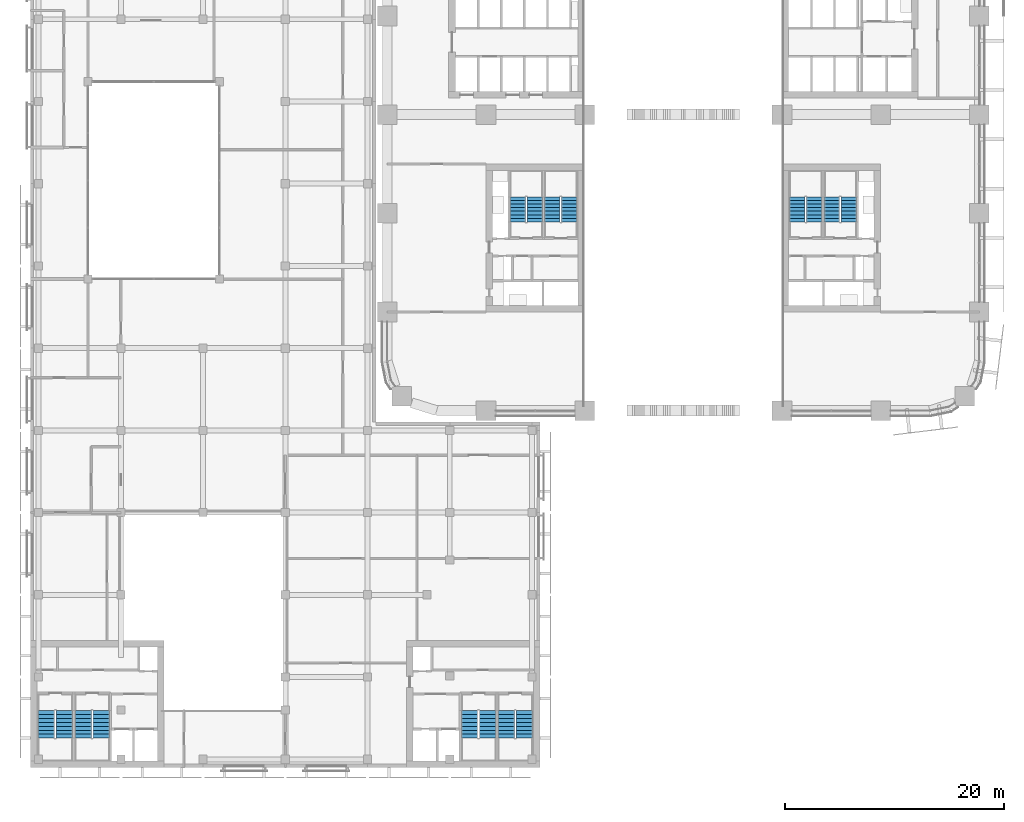
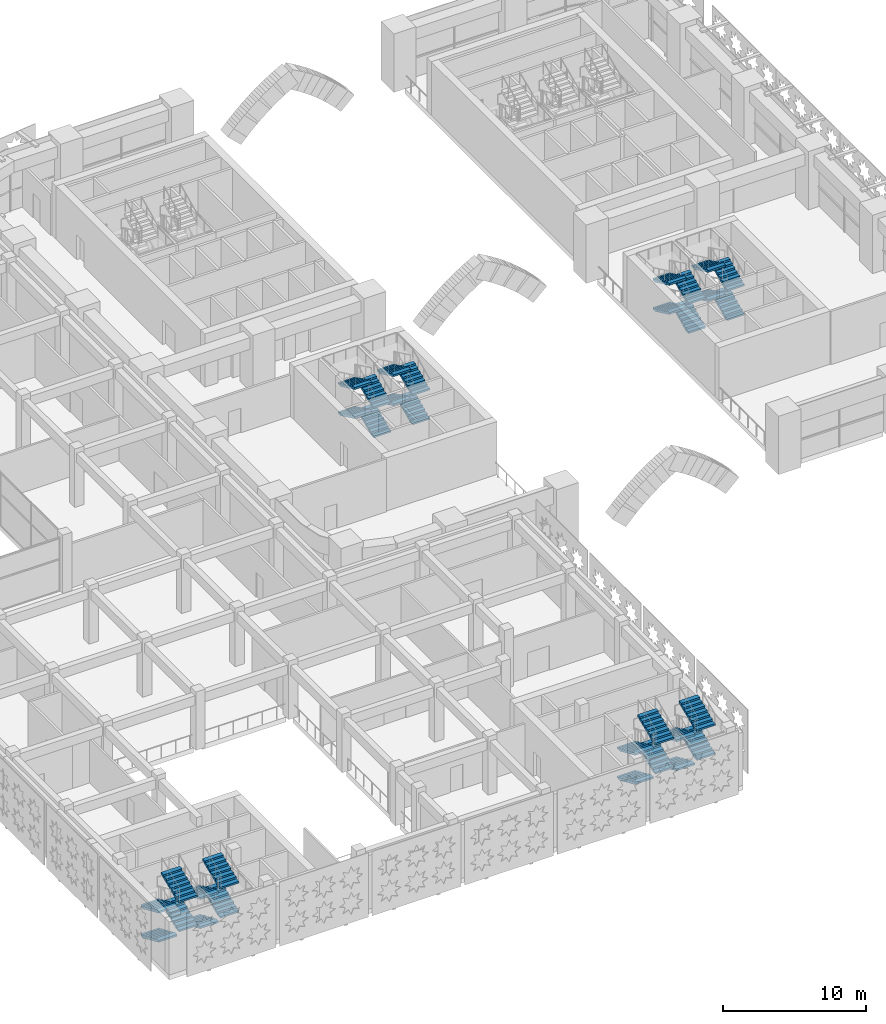
# One storey, part 23 of 40: 32 stair flights, 8 elements without a shape of their own.
"""IFC4 building model written with IfcOpenShell, lengths in metres."""

from ifc_helpers import new_model, si_unit, direction, frame, origin, place, context, subcontext, project, spatial, polyline, outline, extrude, material, type_object, element, aggregate, save


model = new_model("IFC4")

# Units and contexts
model_context = context("Model", 3, precision=1e-05, world=origin(), true_north=direction((0.0, 1.0)))
body_context = subcontext(model_context, "Body", "Model", "MODEL_VIEW")
ifc_project = project(units=[si_unit("LENGTHUNIT", "METRE"), si_unit("AREAUNIT", "SQUARE_METRE"), si_unit("VOLUMEUNIT", "CUBIC_METRE"), si_unit("PLANEANGLEUNIT", "RADIAN"), si_unit("MASSUNIT", "GRAM", prefix="KILO")], contexts=[model_context])

# Site, building, storey
site_placement = place(None, origin())
site = spatial("IfcSite", under=ifc_project, at=site_placement, CompositionType="ELEMENT")
building_placement = place(site_placement, origin())
building = spatial("IfcBuilding", under=site, at=building_placement, Name="Tessera Arch", CompositionType="ELEMENT")
storey_placement = place(building_placement, frame((0.0, 0.0, 21.0)))
storey = spatial("IfcBuildingStorey", under=building, at=storey_placement, Name="L03", CompositionType="ELEMENT", Elevation=21.0)

# Stair, stair flights
ifc_material_1 = material(Name="Concrete C40/50", Category="concrete")
stair_type_1 = type_object("IfcStairType", Name="Dogleg stair 1400", PredefinedType="HALF_TURN_STAIR", material=ifc_material_1)
stair_1_placement = place(storey_placement, origin())
stair_1 = element("IfcStair", 1, at=stair_1_placement, inside=storey, type_object=stair_type_1, Name="L03 S3a", PredefinedType="HALF_TURN_STAIR")
ifc_material_2 = material(Name="Concrete C40/50", Category="concrete")
stair_flight_type_1 = type_object("IfcStairFlightType", Name="Stair flight 1400", PredefinedType="STRAIGHT", material=ifc_material_2)
stair_flight_1_placement = place(storey_placement, frame((38.949951171875, 17.199951171875, 0.0), z_axis=(0.0, 0.0, 1.0), x_axis=(0.0, 1.0, 0.0)))
stair_flight_1 = element("IfcStairFlight", 2, at=stair_flight_1_placement, type_object=stair_flight_type_1, Name="S3a flight 1", NumberOfRisers=8, NumberOfTreads=7, PredefinedType="STRAIGHT", RiserHeight=0.15625, TreadLength=0.33, context=body_context, shape_type="SweptSolid", body=[
    extrude(outline(polyline([(0.0, 0.0), (0.0, 0.15625), (0.330078125, 0.15625), (0.330078125, 0.3125), (0.659912109375, 0.3125), (0.659912109375, 0.46875), (0.989990234375, 0.46875), (0.989990234375, 0.625), (1.320068359375, 0.625), (1.320068359375, 0.78125), (1.64990234375, 0.78125), (1.64990234375, 0.9375), (1.97998046875, 0.9375), (1.97998046875, 1.09375), (2.31005859375, 1.09375), (2.31005859375, 1.25), (2.31005859375, 0.927978515625), (0.350341796875, 0.0), (0.0, 0.0)])), frame((0.0, 0.699951171875, 0.0), z_axis=(0.0, -1.0, 0.0), x_axis=(1.0, 0.0, 0.0)), (0.0, 0.0, 1.0), 1.39990234375),
])
stair_flight_2_placement = place(storey_placement, frame((37.39990234375, 19.510009765625, 1.25), z_axis=(0.0, 0.0, 1.0), x_axis=(0.0, -1.0, 0.0)))
stair_flight_2 = element("IfcStairFlight", 3, at=stair_flight_2_placement, type_object=stair_flight_type_1, Name="S3a flight 2", NumberOfRisers=8, NumberOfTreads=7, PredefinedType="STRAIGHT", RiserHeight=0.15625, TreadLength=0.33, context=body_context, shape_type="SweptSolid", body=[
    extrude(outline(polyline([(0.0, 0.0), (0.0, 0.15625), (0.330078125, 0.15625), (0.330078125, 0.3125), (0.659912109375, 0.3125), (0.659912109375, 0.46875), (0.989990234375, 0.46875), (0.989990234375, 0.625), (1.320068359375, 0.625), (1.320068359375, 0.78125), (1.64990234375, 0.78125), (1.64990234375, 0.9375), (1.97998046875, 0.9375), (1.97998046875, 1.09375), (2.31005859375, 1.09375), (2.31005859375, 1.25), (2.31005859375, 0.927978515625), (0.350341796875, 0.0), (0.0, 0.0)])), frame((0.0, 0.699951171875, 0.0), z_axis=(0.0, -1.0, 0.0), x_axis=(1.0, 0.0, 0.0)), (0.0, 0.0, 1.0), 1.39990234375),
])
stair_flight_3_placement = place(storey_placement, frame((38.949951171875, 17.199951171875, 2.5), z_axis=(0.0, 0.0, 1.0), x_axis=(0.0, 1.0, 0.0)))
stair_flight_3 = element("IfcStairFlight", 4, at=stair_flight_3_placement, type_object=stair_flight_type_1, Name="S3a flight 3", NumberOfRisers=8, NumberOfTreads=7, PredefinedType="STRAIGHT", RiserHeight=0.15625, TreadLength=0.33, context=body_context, shape_type="SweptSolid", body=[
    extrude(outline(polyline([(0.0, 0.0), (0.0, 0.15625), (0.330078125, 0.15625), (0.330078125, 0.3125), (0.659912109375, 0.3125), (0.659912109375, 0.46875), (0.989990234375, 0.46875), (0.989990234375, 0.625), (1.320068359375, 0.625), (1.320068359375, 0.78125), (1.64990234375, 0.78125), (1.64990234375, 0.9375), (1.97998046875, 0.9375), (1.97998046875, 1.09375), (2.31005859375, 1.09375), (2.31005859375, 1.25), (2.31005859375, 0.927978515625), (0.350341796875, 0.0), (0.0, 0.0)])), frame((0.0, 0.699951171875, 0.0), z_axis=(0.0, -1.0, 0.0), x_axis=(1.0, 0.0, 0.0)), (0.0, 0.0, 1.0), 1.39990234375),
])
stair_flight_4_placement = place(storey_placement, frame((37.39990234375, 19.510009765625, 3.75), z_axis=(0.0, 0.0, 1.0), x_axis=(0.0, -1.0, 0.0)))
stair_flight_4 = element("IfcStairFlight", 5, at=stair_flight_4_placement, type_object=stair_flight_type_1, Name="S3a flight 4", NumberOfRisers=8, NumberOfTreads=7, PredefinedType="STRAIGHT", RiserHeight=0.15625, TreadLength=0.33, context=body_context, shape_type="SweptSolid", body=[
    extrude(outline(polyline([(0.0, 0.0), (0.0, 0.15625), (0.330078125, 0.15625), (0.330078125, 0.3125), (0.659912109375, 0.3125), (0.659912109375, 0.46875), (0.989990234375, 0.46875), (0.989990234375, 0.625), (1.320068359375, 0.625), (1.320068359375, 0.78125), (1.64990234375, 0.78125), (1.64990234375, 0.9375), (1.97998046875, 0.9375), (1.97998046875, 1.09375), (2.31005859375, 1.09375), (2.31005859375, 1.25), (2.31005859375, 0.927978515625), (0.350341796875, 0.0), (0.0, 0.0)])), frame((0.0, 0.699951171875, 0.0), z_axis=(0.0, -1.0, 0.0), x_axis=(1.0, 0.0, 0.0)), (0.0, 0.0, 1.0), 1.39990234375),
])
aggregate(stair_1, [stair_flight_1, stair_flight_2, stair_flight_3, stair_flight_4])

stair_2_placement = place(storey_placement, origin())
stair_2 = element("IfcStair", 6, at=stair_2_placement, inside=storey, type_object=stair_type_1, Name="L03 S3b", PredefinedType="HALF_TURN_STAIR")
stair_flight_5_placement = place(storey_placement, frame((42.10009765625, 17.199951171875, 0.0), z_axis=(0.0, 0.0, 1.0), x_axis=(0.0, 1.0, 0.0)))
stair_flight_5 = element("IfcStairFlight", 7, at=stair_flight_5_placement, type_object=stair_flight_type_1, Name="S3b flight 1", NumberOfRisers=8, NumberOfTreads=7, PredefinedType="STRAIGHT", RiserHeight=0.15625, TreadLength=0.33, context=body_context, shape_type="SweptSolid", body=[
    extrude(outline(polyline([(0.0, 0.0), (0.0, 0.15625), (0.330078125, 0.15625), (0.330078125, 0.3125), (0.659912109375, 0.3125), (0.659912109375, 0.46875), (0.989990234375, 0.46875), (0.989990234375, 0.625), (1.320068359375, 0.625), (1.320068359375, 0.78125), (1.64990234375, 0.78125), (1.64990234375, 0.9375), (1.97998046875, 0.9375), (1.97998046875, 1.09375), (2.31005859375, 1.09375), (2.31005859375, 1.25), (2.31005859375, 0.927978515625), (0.350341796875, 0.0), (0.0, 0.0)])), frame((0.0, 0.699951171875, 0.0), z_axis=(0.0, -1.0, 0.0), x_axis=(1.0, 0.0, 0.0)), (0.0, 0.0, 1.0), 1.39990234375),
])
stair_flight_6_placement = place(storey_placement, frame((40.550048828125, 19.510009765625, 1.25), z_axis=(0.0, 0.0, 1.0), x_axis=(0.0, -1.0, 0.0)))
stair_flight_6 = element("IfcStairFlight", 8, at=stair_flight_6_placement, type_object=stair_flight_type_1, Name="S3b flight 2", NumberOfRisers=8, NumberOfTreads=7, PredefinedType="STRAIGHT", RiserHeight=0.15625, TreadLength=0.33, context=body_context, shape_type="SweptSolid", body=[
    extrude(outline(polyline([(0.0, 0.0), (0.0, 0.15625), (0.330078125, 0.15625), (0.330078125, 0.3125), (0.659912109375, 0.3125), (0.659912109375, 0.46875), (0.989990234375, 0.46875), (0.989990234375, 0.625), (1.320068359375, 0.625), (1.320068359375, 0.78125), (1.64990234375, 0.78125), (1.64990234375, 0.9375), (1.97998046875, 0.9375), (1.97998046875, 1.09375), (2.31005859375, 1.09375), (2.31005859375, 1.25), (2.31005859375, 0.927978515625), (0.350341796875, 0.0), (0.0, 0.0)])), frame((0.0, 0.699951171875, 0.0), z_axis=(0.0, -1.0, 0.0), x_axis=(1.0, 0.0, 0.0)), (0.0, 0.0, 1.0), 1.39990234375),
])
stair_flight_7_placement = place(storey_placement, frame((42.10009765625, 17.199951171875, 2.5), z_axis=(0.0, 0.0, 1.0), x_axis=(0.0, 1.0, 0.0)))
stair_flight_7 = element("IfcStairFlight", 9, at=stair_flight_7_placement, type_object=stair_flight_type_1, Name="S3b flight 3", NumberOfRisers=8, NumberOfTreads=7, PredefinedType="STRAIGHT", RiserHeight=0.15625, TreadLength=0.33, context=body_context, shape_type="SweptSolid", body=[
    extrude(outline(polyline([(0.0, 0.0), (0.0, 0.15625), (0.330078125, 0.15625), (0.330078125, 0.3125), (0.659912109375, 0.3125), (0.659912109375, 0.46875), (0.989990234375, 0.46875), (0.989990234375, 0.625), (1.320068359375, 0.625), (1.320068359375, 0.78125), (1.64990234375, 0.78125), (1.64990234375, 0.9375), (1.97998046875, 0.9375), (1.97998046875, 1.09375), (2.31005859375, 1.09375), (2.31005859375, 1.25), (2.31005859375, 0.927978515625), (0.350341796875, 0.0), (0.0, 0.0)])), frame((0.0, 0.699951171875, 0.0), z_axis=(0.0, -1.0, 0.0), x_axis=(1.0, 0.0, 0.0)), (0.0, 0.0, 1.0), 1.39990234375),
])
stair_flight_8_placement = place(storey_placement, frame((40.550048828125, 19.510009765625, 3.75), z_axis=(0.0, 0.0, 1.0), x_axis=(0.0, -1.0, 0.0)))
stair_flight_8 = element("IfcStairFlight", 10, at=stair_flight_8_placement, type_object=stair_flight_type_1, Name="S3b flight 4", NumberOfRisers=8, NumberOfTreads=7, PredefinedType="STRAIGHT", RiserHeight=0.15625, TreadLength=0.33, context=body_context, shape_type="SweptSolid", body=[
    extrude(outline(polyline([(0.0, 0.0), (0.0, 0.15625), (0.330078125, 0.15625), (0.330078125, 0.3125), (0.659912109375, 0.3125), (0.659912109375, 0.46875), (0.989990234375, 0.46875), (0.989990234375, 0.625), (1.320068359375, 0.625), (1.320068359375, 0.78125), (1.64990234375, 0.78125), (1.64990234375, 0.9375), (1.97998046875, 0.9375), (1.97998046875, 1.09375), (2.31005859375, 1.09375), (2.31005859375, 1.25), (2.31005859375, 0.927978515625), (0.350341796875, 0.0), (0.0, 0.0)])), frame((0.0, 0.699951171875, 0.0), z_axis=(0.0, -1.0, 0.0), x_axis=(1.0, 0.0, 0.0)), (0.0, 0.0, 1.0), 1.39990234375),
])
aggregate(stair_2, [stair_flight_5, stair_flight_6, stair_flight_7, stair_flight_8])

stair_3_placement = place(storey_placement, origin())
stair_3 = element("IfcStair", 11, at=stair_3_placement, inside=storey, type_object=stair_type_1, Name="L03 S4a", PredefinedType="HALF_TURN_STAIR")
stair_flight_9_placement = place(storey_placement, frame((16.60009765625, 17.199951171875, 0.0), z_axis=(0.0, 0.0, 1.0), x_axis=(0.0, 1.0, 0.0)))
stair_flight_9 = element("IfcStairFlight", 12, at=stair_flight_9_placement, type_object=stair_flight_type_1, Name="S4a flight 1", NumberOfRisers=8, NumberOfTreads=7, PredefinedType="STRAIGHT", RiserHeight=0.15625, TreadLength=0.33, context=body_context, shape_type="SweptSolid", body=[
    extrude(outline(polyline([(0.0, 0.0), (0.0, 0.15625), (0.330078125, 0.15625), (0.330078125, 0.3125), (0.659912109375, 0.3125), (0.659912109375, 0.46875), (0.989990234375, 0.46875), (0.989990234375, 0.625), (1.320068359375, 0.625), (1.320068359375, 0.78125), (1.64990234375, 0.78125), (1.64990234375, 0.9375), (1.97998046875, 0.9375), (1.97998046875, 1.09375), (2.31005859375, 1.09375), (2.31005859375, 1.25), (2.31005859375, 0.927978515625), (0.350341796875, 0.0), (0.0, 0.0)])), frame((0.0, 0.699951171875, 0.0), z_axis=(0.0, -1.0, 0.0), x_axis=(1.0, 0.0, 0.0)), (0.0, 0.0, 1.0), 1.39990234375),
])
stair_flight_10_placement = place(storey_placement, frame((15.050048828125, 19.510009765625, 1.25), z_axis=(0.0, 0.0, 1.0), x_axis=(0.0, -1.0, 0.0)))
stair_flight_10 = element("IfcStairFlight", 13, at=stair_flight_10_placement, type_object=stair_flight_type_1, Name="S4a flight 2", NumberOfRisers=8, NumberOfTreads=7, PredefinedType="STRAIGHT", RiserHeight=0.15625, TreadLength=0.33, context=body_context, shape_type="SweptSolid", body=[
    extrude(outline(polyline([(0.0, 0.0), (0.0, 0.15625), (0.330078125, 0.15625), (0.330078125, 0.3125), (0.659912109375, 0.3125), (0.659912109375, 0.46875), (0.989990234375, 0.46875), (0.989990234375, 0.625), (1.320068359375, 0.625), (1.320068359375, 0.78125), (1.64990234375, 0.78125), (1.64990234375, 0.9375), (1.97998046875, 0.9375), (1.97998046875, 1.09375), (2.31005859375, 1.09375), (2.31005859375, 1.25), (2.31005859375, 0.927978515625), (0.350341796875, 0.0), (0.0, 0.0)])), frame((0.0, 0.699951171875, 0.0), z_axis=(0.0, -1.0, 0.0), x_axis=(1.0, 0.0, 0.0)), (0.0, 0.0, 1.0), 1.39990234375),
])
stair_flight_11_placement = place(storey_placement, frame((16.60009765625, 17.199951171875, 2.5), z_axis=(0.0, 0.0, 1.0), x_axis=(0.0, 1.0, 0.0)))
stair_flight_11 = element("IfcStairFlight", 14, at=stair_flight_11_placement, type_object=stair_flight_type_1, Name="S4a flight 3", NumberOfRisers=8, NumberOfTreads=7, PredefinedType="STRAIGHT", RiserHeight=0.15625, TreadLength=0.33, context=body_context, shape_type="SweptSolid", body=[
    extrude(outline(polyline([(0.0, 0.0), (0.0, 0.15625), (0.330078125, 0.15625), (0.330078125, 0.3125), (0.659912109375, 0.3125), (0.659912109375, 0.46875), (0.989990234375, 0.46875), (0.989990234375, 0.625), (1.320068359375, 0.625), (1.320068359375, 0.78125), (1.64990234375, 0.78125), (1.64990234375, 0.9375), (1.97998046875, 0.9375), (1.97998046875, 1.09375), (2.31005859375, 1.09375), (2.31005859375, 1.25), (2.31005859375, 0.927978515625), (0.350341796875, 0.0), (0.0, 0.0)])), frame((0.0, 0.699951171875, 0.0), z_axis=(0.0, -1.0, 0.0), x_axis=(1.0, 0.0, 0.0)), (0.0, 0.0, 1.0), 1.39990234375),
])
stair_flight_12_placement = place(storey_placement, frame((15.050048828125, 19.510009765625, 3.75), z_axis=(0.0, 0.0, 1.0), x_axis=(0.0, -1.0, 0.0)))
stair_flight_12 = element("IfcStairFlight", 15, at=stair_flight_12_placement, type_object=stair_flight_type_1, Name="S4a flight 4", NumberOfRisers=8, NumberOfTreads=7, PredefinedType="STRAIGHT", RiserHeight=0.15625, TreadLength=0.33, context=body_context, shape_type="SweptSolid", body=[
    extrude(outline(polyline([(0.0, 0.0), (0.0, 0.15625), (0.330078125, 0.15625), (0.330078125, 0.3125), (0.659912109375, 0.3125), (0.659912109375, 0.46875), (0.989990234375, 0.46875), (0.989990234375, 0.625), (1.320068359375, 0.625), (1.320068359375, 0.78125), (1.64990234375, 0.78125), (1.64990234375, 0.9375), (1.97998046875, 0.9375), (1.97998046875, 1.09375), (2.31005859375, 1.09375), (2.31005859375, 1.25), (2.31005859375, 0.927978515625), (0.350341796875, 0.0), (0.0, 0.0)])), frame((0.0, 0.699951171875, 0.0), z_axis=(0.0, -1.0, 0.0), x_axis=(1.0, 0.0, 0.0)), (0.0, 0.0, 1.0), 1.39990234375),
])
aggregate(stair_3, [stair_flight_9, stair_flight_10, stair_flight_11, stair_flight_12])

stair_4_placement = place(storey_placement, origin())
stair_4 = element("IfcStair", 16, at=stair_4_placement, inside=storey, type_object=stair_type_1, Name="L03 S4b", PredefinedType="HALF_TURN_STAIR")
stair_flight_13_placement = place(storey_placement, frame((13.449951171875, 17.199951171875, 0.0), z_axis=(0.0, 0.0, 1.0), x_axis=(0.0, 1.0, 0.0)))
stair_flight_13 = element("IfcStairFlight", 17, at=stair_flight_13_placement, type_object=stair_flight_type_1, Name="S4b flight 1", NumberOfRisers=8, NumberOfTreads=7, PredefinedType="STRAIGHT", RiserHeight=0.15625, TreadLength=0.33, context=body_context, shape_type="SweptSolid", body=[
    extrude(outline(polyline([(0.0, 0.0), (0.0, 0.15625), (0.330078125, 0.15625), (0.330078125, 0.3125), (0.659912109375, 0.3125), (0.659912109375, 0.46875), (0.989990234375, 0.46875), (0.989990234375, 0.625), (1.320068359375, 0.625), (1.320068359375, 0.78125), (1.64990234375, 0.78125), (1.64990234375, 0.9375), (1.97998046875, 0.9375), (1.97998046875, 1.09375), (2.31005859375, 1.09375), (2.31005859375, 1.25), (2.31005859375, 0.927978515625), (0.350341796875, 0.0), (0.0, 0.0)])), frame((0.0, 0.699951171875, 0.0), z_axis=(0.0, -1.0, 0.0), x_axis=(1.0, 0.0, 0.0)), (0.0, 0.0, 1.0), 1.39990234375),
])
stair_flight_14_placement = place(storey_placement, frame((11.89990234375, 19.510009765625, 1.25), z_axis=(0.0, 0.0, 1.0), x_axis=(0.0, -1.0, 0.0)))
stair_flight_14 = element("IfcStairFlight", 18, at=stair_flight_14_placement, type_object=stair_flight_type_1, Name="S4b flight 2", NumberOfRisers=8, NumberOfTreads=7, PredefinedType="STRAIGHT", RiserHeight=0.15625, TreadLength=0.33, context=body_context, shape_type="SweptSolid", body=[
    extrude(outline(polyline([(0.0, 0.0), (0.0, 0.15625), (0.330078125, 0.15625), (0.330078125, 0.3125), (0.659912109375, 0.3125), (0.659912109375, 0.46875), (0.989990234375, 0.46875), (0.989990234375, 0.625), (1.320068359375, 0.625), (1.320068359375, 0.78125), (1.64990234375, 0.78125), (1.64990234375, 0.9375), (1.97998046875, 0.9375), (1.97998046875, 1.09375), (2.31005859375, 1.09375), (2.31005859375, 1.25), (2.31005859375, 0.927978515625), (0.350341796875, 0.0), (0.0, 0.0)])), frame((0.0, 0.699951171875, 0.0), z_axis=(0.0, -1.0, 0.0), x_axis=(1.0, 0.0, 0.0)), (0.0, 0.0, 1.0), 1.39990234375),
])
stair_flight_15_placement = place(storey_placement, frame((13.449951171875, 17.199951171875, 2.5), z_axis=(0.0, 0.0, 1.0), x_axis=(0.0, 1.0, 0.0)))
stair_flight_15 = element("IfcStairFlight", 19, at=stair_flight_15_placement, type_object=stair_flight_type_1, Name="S4b flight 3", NumberOfRisers=8, NumberOfTreads=7, PredefinedType="STRAIGHT", RiserHeight=0.15625, TreadLength=0.33, context=body_context, shape_type="SweptSolid", body=[
    extrude(outline(polyline([(0.0, 0.0), (0.0, 0.15625), (0.330078125, 0.15625), (0.330078125, 0.3125), (0.659912109375, 0.3125), (0.659912109375, 0.46875), (0.989990234375, 0.46875), (0.989990234375, 0.625), (1.320068359375, 0.625), (1.320068359375, 0.78125), (1.64990234375, 0.78125), (1.64990234375, 0.9375), (1.97998046875, 0.9375), (1.97998046875, 1.09375), (2.31005859375, 1.09375), (2.31005859375, 1.25), (2.31005859375, 0.927978515625), (0.350341796875, 0.0), (0.0, 0.0)])), frame((0.0, 0.699951171875, 0.0), z_axis=(0.0, -1.0, 0.0), x_axis=(1.0, 0.0, 0.0)), (0.0, 0.0, 1.0), 1.39990234375),
])
stair_flight_16_placement = place(storey_placement, frame((11.89990234375, 19.510009765625, 3.75), z_axis=(0.0, 0.0, 1.0), x_axis=(0.0, -1.0, 0.0)))
stair_flight_16 = element("IfcStairFlight", 20, at=stair_flight_16_placement, type_object=stair_flight_type_1, Name="S4b flight 4", NumberOfRisers=8, NumberOfTreads=7, PredefinedType="STRAIGHT", RiserHeight=0.15625, TreadLength=0.33, context=body_context, shape_type="SweptSolid", body=[
    extrude(outline(polyline([(0.0, 0.0), (0.0, 0.15625), (0.330078125, 0.15625), (0.330078125, 0.3125), (0.659912109375, 0.3125), (0.659912109375, 0.46875), (0.989990234375, 0.46875), (0.989990234375, 0.625), (1.320068359375, 0.625), (1.320068359375, 0.78125), (1.64990234375, 0.78125), (1.64990234375, 0.9375), (1.97998046875, 0.9375), (1.97998046875, 1.09375), (2.31005859375, 1.09375), (2.31005859375, 1.25), (2.31005859375, 0.927978515625), (0.350341796875, 0.0), (0.0, 0.0)])), frame((0.0, 0.699951171875, 0.0), z_axis=(0.0, -1.0, 0.0), x_axis=(1.0, 0.0, 0.0)), (0.0, 0.0, 1.0), 1.39990234375),
])
aggregate(stair_4, [stair_flight_13, stair_flight_14, stair_flight_15, stair_flight_16])

ifc_material_3 = material(Name="Concrete C40/50", Category="concrete")
stair_type_2 = type_object("IfcStairType", Name="Dogleg stair 1500", PredefinedType="HALF_TURN_STAIR", material=ifc_material_3)
stair_5_placement = place(storey_placement, origin())
stair_5 = element("IfcStair", 21, at=stair_5_placement, inside=storey, type_object=stair_type_2, Name="L03 M2a", PredefinedType="HALF_TURN_STAIR")
ifc_material_4 = material(Name="Concrete C40/50", Category="concrete")
stair_flight_type_2 = type_object("IfcStairFlightType", Name="Stair flight 1500", PredefinedType="STRAIGHT", material=ifc_material_4)
stair_flight_17_placement = place(storey_placement, frame((-31.10009765625, -27.35009765625, 0.0), z_axis=(0.0, 0.0, 1.0), x_axis=(0.0, -1.0, 0.0)))
stair_flight_17 = element("IfcStairFlight", 22, at=stair_flight_17_placement, type_object=stair_flight_type_2, Name="M2a flight 1", NumberOfRisers=8, NumberOfTreads=7, PredefinedType="STRAIGHT", RiserHeight=0.15625, TreadLength=0.36, context=body_context, shape_type="SweptSolid", body=[
    extrude(outline(polyline([(0.0, 0.0), (0.0, 0.15625), (0.360107421875, 0.15625), (0.360107421875, 0.3125), (0.719970703125, 0.3125), (0.719970703125, 0.46875), (1.080078125, 0.46875), (1.080078125, 0.625), (1.43994140625, 0.625), (1.43994140625, 0.78125), (1.800048828125, 0.78125), (1.800048828125, 0.9375), (2.159912109375, 0.9375), (2.159912109375, 1.09375), (2.52001953125, 1.09375), (2.52001953125, 1.25), (2.52001953125, 0.930419921875), (0.37646484375, 0.0), (0.0, 0.0)])), frame((0.0, 0.75, 0.0), z_axis=(0.0, -1.0, 0.0), x_axis=(1.0, 0.0, 0.0)), (0.0, 0.0, 1.0), 1.5),
])
stair_flight_18_placement = place(storey_placement, frame((-29.449951171875, -29.8701171875, 1.25), z_axis=(0.0, 0.0, 1.0), x_axis=(0.0, 1.0, 0.0)))
stair_flight_18 = element("IfcStairFlight", 23, at=stair_flight_18_placement, type_object=stair_flight_type_2, Name="M2a flight 2", NumberOfRisers=8, NumberOfTreads=7, PredefinedType="STRAIGHT", RiserHeight=0.15625, TreadLength=0.36, context=body_context, shape_type="SweptSolid", body=[
    extrude(outline(polyline([(0.0, 0.0), (0.0, 0.15625), (0.360107421875, 0.15625), (0.360107421875, 0.3125), (0.719970703125, 0.3125), (0.719970703125, 0.46875), (1.080078125, 0.46875), (1.080078125, 0.625), (1.43994140625, 0.625), (1.43994140625, 0.78125), (1.800048828125, 0.78125), (1.800048828125, 0.9375), (2.159912109375, 0.9375), (2.159912109375, 1.09375), (2.52001953125, 1.09375), (2.52001953125, 1.25), (2.52001953125, 0.930419921875), (0.37646484375, 0.0), (0.0, 0.0)])), frame((0.0, 0.75, 0.0), z_axis=(0.0, -1.0, 0.0), x_axis=(1.0, 0.0, 0.0)), (0.0, 0.0, 1.0), 1.5),
])
stair_flight_19_placement = place(storey_placement, frame((-31.10009765625, -27.35009765625, 2.5), z_axis=(0.0, 0.0, 1.0), x_axis=(0.0, -1.0, 0.0)))
stair_flight_19 = element("IfcStairFlight", 24, at=stair_flight_19_placement, type_object=stair_flight_type_2, Name="M2a flight 3", NumberOfRisers=8, NumberOfTreads=7, PredefinedType="STRAIGHT", RiserHeight=0.15625, TreadLength=0.36, context=body_context, shape_type="SweptSolid", body=[
    extrude(outline(polyline([(0.0, 0.0), (0.0, 0.15625), (0.360107421875, 0.15625), (0.360107421875, 0.3125), (0.719970703125, 0.3125), (0.719970703125, 0.46875), (1.080078125, 0.46875), (1.080078125, 0.625), (1.43994140625, 0.625), (1.43994140625, 0.78125), (1.800048828125, 0.78125), (1.800048828125, 0.9375), (2.159912109375, 0.9375), (2.159912109375, 1.09375), (2.52001953125, 1.09375), (2.52001953125, 1.25), (2.52001953125, 0.930419921875), (0.37646484375, 0.0), (0.0, 0.0)])), frame((0.0, 0.75, 0.0), z_axis=(0.0, -1.0, 0.0), x_axis=(1.0, 0.0, 0.0)), (0.0, 0.0, 1.0), 1.5),
])
stair_flight_20_placement = place(storey_placement, frame((-29.449951171875, -29.8701171875, 3.75), z_axis=(0.0, 0.0, 1.0), x_axis=(0.0, 1.0, 0.0)))
stair_flight_20 = element("IfcStairFlight", 25, at=stair_flight_20_placement, type_object=stair_flight_type_2, Name="M2a flight 4", NumberOfRisers=8, NumberOfTreads=7, PredefinedType="STRAIGHT", RiserHeight=0.15625, TreadLength=0.36, context=body_context, shape_type="SweptSolid", body=[
    extrude(outline(polyline([(0.0, 0.0), (0.0, 0.15625), (0.360107421875, 0.15625), (0.360107421875, 0.3125), (0.719970703125, 0.3125), (0.719970703125, 0.46875), (1.080078125, 0.46875), (1.080078125, 0.625), (1.43994140625, 0.625), (1.43994140625, 0.78125), (1.800048828125, 0.78125), (1.800048828125, 0.9375), (2.159912109375, 0.9375), (2.159912109375, 1.09375), (2.52001953125, 1.09375), (2.52001953125, 1.25), (2.52001953125, 0.930419921875), (0.37646484375, 0.0), (0.0, 0.0)])), frame((0.0, 0.75, 0.0), z_axis=(0.0, -1.0, 0.0), x_axis=(1.0, 0.0, 0.0)), (0.0, 0.0, 1.0), 1.5),
])
aggregate(stair_5, [stair_flight_17, stair_flight_18, stair_flight_19, stair_flight_20])

stair_6_placement = place(storey_placement, origin())
stair_6 = element("IfcStair", 26, at=stair_6_placement, inside=storey, type_object=stair_type_2, Name="L03 M2b", PredefinedType="HALF_TURN_STAIR")
stair_flight_21_placement = place(storey_placement, frame((-27.75, -27.35009765625, 0.0), z_axis=(0.0, 0.0, 1.0), x_axis=(0.0, -1.0, 0.0)))
stair_flight_21 = element("IfcStairFlight", 27, at=stair_flight_21_placement, type_object=stair_flight_type_2, Name="M2b flight 1", NumberOfRisers=8, NumberOfTreads=7, PredefinedType="STRAIGHT", RiserHeight=0.15625, TreadLength=0.36, context=body_context, shape_type="SweptSolid", body=[
    extrude(outline(polyline([(0.0, 0.0), (0.0, 0.15625), (0.360107421875, 0.15625), (0.360107421875, 0.3125), (0.719970703125, 0.3125), (0.719970703125, 0.46875), (1.080078125, 0.46875), (1.080078125, 0.625), (1.43994140625, 0.625), (1.43994140625, 0.78125), (1.800048828125, 0.78125), (1.800048828125, 0.9375), (2.159912109375, 0.9375), (2.159912109375, 1.09375), (2.52001953125, 1.09375), (2.52001953125, 1.25), (2.52001953125, 0.930419921875), (0.37646484375, 0.0), (0.0, 0.0)])), frame((0.0, 0.75, 0.0), z_axis=(0.0, -1.0, 0.0), x_axis=(1.0, 0.0, 0.0)), (0.0, 0.0, 1.0), 1.5),
])
stair_flight_22_placement = place(storey_placement, frame((-26.10009765625, -29.8701171875, 1.25), z_axis=(0.0, 0.0, 1.0), x_axis=(0.0, 1.0, 0.0)))
stair_flight_22 = element("IfcStairFlight", 28, at=stair_flight_22_placement, type_object=stair_flight_type_2, Name="M2b flight 2", NumberOfRisers=8, NumberOfTreads=7, PredefinedType="STRAIGHT", RiserHeight=0.15625, TreadLength=0.36, context=body_context, shape_type="SweptSolid", body=[
    extrude(outline(polyline([(0.0, 0.0), (0.0, 0.15625), (0.360107421875, 0.15625), (0.360107421875, 0.3125), (0.719970703125, 0.3125), (0.719970703125, 0.46875), (1.080078125, 0.46875), (1.080078125, 0.625), (1.43994140625, 0.625), (1.43994140625, 0.78125), (1.800048828125, 0.78125), (1.800048828125, 0.9375), (2.159912109375, 0.9375), (2.159912109375, 1.09375), (2.52001953125, 1.09375), (2.52001953125, 1.25), (2.52001953125, 0.930419921875), (0.37646484375, 0.0), (0.0, 0.0)])), frame((0.0, 0.75, 0.0), z_axis=(0.0, -1.0, 0.0), x_axis=(1.0, 0.0, 0.0)), (0.0, 0.0, 1.0), 1.5),
])
stair_flight_23_placement = place(storey_placement, frame((-27.75, -27.35009765625, 2.5), z_axis=(0.0, 0.0, 1.0), x_axis=(0.0, -1.0, 0.0)))
stair_flight_23 = element("IfcStairFlight", 29, at=stair_flight_23_placement, type_object=stair_flight_type_2, Name="M2b flight 3", NumberOfRisers=8, NumberOfTreads=7, PredefinedType="STRAIGHT", RiserHeight=0.15625, TreadLength=0.36, context=body_context, shape_type="SweptSolid", body=[
    extrude(outline(polyline([(0.0, 0.0), (0.0, 0.15625), (0.360107421875, 0.15625), (0.360107421875, 0.3125), (0.719970703125, 0.3125), (0.719970703125, 0.46875), (1.080078125, 0.46875), (1.080078125, 0.625), (1.43994140625, 0.625), (1.43994140625, 0.78125), (1.800048828125, 0.78125), (1.800048828125, 0.9375), (2.159912109375, 0.9375), (2.159912109375, 1.09375), (2.52001953125, 1.09375), (2.52001953125, 1.25), (2.52001953125, 0.930419921875), (0.37646484375, 0.0), (0.0, 0.0)])), frame((0.0, 0.75, 0.0), z_axis=(0.0, -1.0, 0.0), x_axis=(1.0, 0.0, 0.0)), (0.0, 0.0, 1.0), 1.5),
])
stair_flight_24_placement = place(storey_placement, frame((-26.10009765625, -29.8701171875, 3.75), z_axis=(0.0, 0.0, 1.0), x_axis=(0.0, 1.0, 0.0)))
stair_flight_24 = element("IfcStairFlight", 30, at=stair_flight_24_placement, type_object=stair_flight_type_2, Name="M2b flight 4", NumberOfRisers=8, NumberOfTreads=7, PredefinedType="STRAIGHT", RiserHeight=0.15625, TreadLength=0.36, context=body_context, shape_type="SweptSolid", body=[
    extrude(outline(polyline([(0.0, 0.0), (0.0, 0.15625), (0.360107421875, 0.15625), (0.360107421875, 0.3125), (0.719970703125, 0.3125), (0.719970703125, 0.46875), (1.080078125, 0.46875), (1.080078125, 0.625), (1.43994140625, 0.625), (1.43994140625, 0.78125), (1.800048828125, 0.78125), (1.800048828125, 0.9375), (2.159912109375, 0.9375), (2.159912109375, 1.09375), (2.52001953125, 1.09375), (2.52001953125, 1.25), (2.52001953125, 0.930419921875), (0.37646484375, 0.0), (0.0, 0.0)])), frame((0.0, 0.75, 0.0), z_axis=(0.0, -1.0, 0.0), x_axis=(1.0, 0.0, 0.0)), (0.0, 0.0, 1.0), 1.5),
])
aggregate(stair_6, [stair_flight_21, stair_flight_22, stair_flight_23, stair_flight_24])

stair_7_placement = place(storey_placement, origin())
stair_7 = element("IfcStair", 31, at=stair_7_placement, inside=storey, type_object=stair_type_2, Name="L03 M3a", PredefinedType="HALF_TURN_STAIR")
stair_flight_25_placement = place(storey_placement, frame((10.85009765625, -27.35009765625, 0.0), z_axis=(0.0, 0.0, 1.0), x_axis=(0.0, -1.0, 0.0)))
stair_flight_25 = element("IfcStairFlight", 32, at=stair_flight_25_placement, type_object=stair_flight_type_2, Name="M3a flight 1", NumberOfRisers=8, NumberOfTreads=7, PredefinedType="STRAIGHT", RiserHeight=0.15625, TreadLength=0.36, context=body_context, shape_type="SweptSolid", body=[
    extrude(outline(polyline([(0.0, 0.0), (0.0, 0.15625), (0.360107421875, 0.15625), (0.360107421875, 0.3125), (0.719970703125, 0.3125), (0.719970703125, 0.46875), (1.080078125, 0.46875), (1.080078125, 0.625), (1.43994140625, 0.625), (1.43994140625, 0.78125), (1.800048828125, 0.78125), (1.800048828125, 0.9375), (2.159912109375, 0.9375), (2.159912109375, 1.09375), (2.52001953125, 1.09375), (2.52001953125, 1.25), (2.52001953125, 0.930419921875), (0.37646484375, 0.0), (0.0, 0.0)])), frame((0.0, 0.75, 0.0), z_axis=(0.0, -1.0, 0.0), x_axis=(1.0, 0.0, 0.0)), (0.0, 0.0, 1.0), 1.5),
])
stair_flight_26_placement = place(storey_placement, frame((12.5, -29.8701171875, 1.25), z_axis=(0.0, 0.0, 1.0), x_axis=(0.0, 1.0, 0.0)))
stair_flight_26 = element("IfcStairFlight", 33, at=stair_flight_26_placement, type_object=stair_flight_type_2, Name="M3a flight 2", NumberOfRisers=8, NumberOfTreads=7, PredefinedType="STRAIGHT", RiserHeight=0.15625, TreadLength=0.36, context=body_context, shape_type="SweptSolid", body=[
    extrude(outline(polyline([(0.0, 0.0), (0.0, 0.15625), (0.360107421875, 0.15625), (0.360107421875, 0.3125), (0.719970703125, 0.3125), (0.719970703125, 0.46875), (1.080078125, 0.46875), (1.080078125, 0.625), (1.43994140625, 0.625), (1.43994140625, 0.78125), (1.800048828125, 0.78125), (1.800048828125, 0.9375), (2.159912109375, 0.9375), (2.159912109375, 1.09375), (2.52001953125, 1.09375), (2.52001953125, 1.25), (2.52001953125, 0.930419921875), (0.37646484375, 0.0), (0.0, 0.0)])), frame((0.0, 0.75, 0.0), z_axis=(0.0, -1.0, 0.0), x_axis=(1.0, 0.0, 0.0)), (0.0, 0.0, 1.0), 1.5),
])
stair_flight_27_placement = place(storey_placement, frame((10.85009765625, -27.35009765625, 2.5), z_axis=(0.0, 0.0, 1.0), x_axis=(0.0, -1.0, 0.0)))
stair_flight_27 = element("IfcStairFlight", 34, at=stair_flight_27_placement, type_object=stair_flight_type_2, Name="M3a flight 3", NumberOfRisers=8, NumberOfTreads=7, PredefinedType="STRAIGHT", RiserHeight=0.15625, TreadLength=0.36, context=body_context, shape_type="SweptSolid", body=[
    extrude(outline(polyline([(0.0, 0.0), (0.0, 0.15625), (0.360107421875, 0.15625), (0.360107421875, 0.3125), (0.719970703125, 0.3125), (0.719970703125, 0.46875), (1.080078125, 0.46875), (1.080078125, 0.625), (1.43994140625, 0.625), (1.43994140625, 0.78125), (1.800048828125, 0.78125), (1.800048828125, 0.9375), (2.159912109375, 0.9375), (2.159912109375, 1.09375), (2.52001953125, 1.09375), (2.52001953125, 1.25), (2.52001953125, 0.930419921875), (0.37646484375, 0.0), (0.0, 0.0)])), frame((0.0, 0.75, 0.0), z_axis=(0.0, -1.0, 0.0), x_axis=(1.0, 0.0, 0.0)), (0.0, 0.0, 1.0), 1.5),
])
stair_flight_28_placement = place(storey_placement, frame((12.5, -29.8701171875, 3.75), z_axis=(0.0, 0.0, 1.0), x_axis=(0.0, 1.0, 0.0)))
stair_flight_28 = element("IfcStairFlight", 35, at=stair_flight_28_placement, type_object=stair_flight_type_2, Name="M3a flight 4", NumberOfRisers=8, NumberOfTreads=7, PredefinedType="STRAIGHT", RiserHeight=0.15625, TreadLength=0.36, context=body_context, shape_type="SweptSolid", body=[
    extrude(outline(polyline([(0.0, 0.0), (0.0, 0.15625), (0.360107421875, 0.15625), (0.360107421875, 0.3125), (0.719970703125, 0.3125), (0.719970703125, 0.46875), (1.080078125, 0.46875), (1.080078125, 0.625), (1.43994140625, 0.625), (1.43994140625, 0.78125), (1.800048828125, 0.78125), (1.800048828125, 0.9375), (2.159912109375, 0.9375), (2.159912109375, 1.09375), (2.52001953125, 1.09375), (2.52001953125, 1.25), (2.52001953125, 0.930419921875), (0.37646484375, 0.0), (0.0, 0.0)])), frame((0.0, 0.75, 0.0), z_axis=(0.0, -1.0, 0.0), x_axis=(1.0, 0.0, 0.0)), (0.0, 0.0, 1.0), 1.5),
])
aggregate(stair_7, [stair_flight_25, stair_flight_26, stair_flight_27, stair_flight_28])

stair_8_placement = place(storey_placement, origin())
stair_8 = element("IfcStair", 36, at=stair_8_placement, inside=storey, type_object=stair_type_2, Name="L03 M3b", PredefinedType="HALF_TURN_STAIR")
stair_flight_29_placement = place(storey_placement, frame((7.5, -27.35009765625, 0.0), z_axis=(0.0, 0.0, 1.0), x_axis=(0.0, -1.0, 0.0)))
stair_flight_29 = element("IfcStairFlight", 37, at=stair_flight_29_placement, type_object=stair_flight_type_2, Name="M3b flight 1", NumberOfRisers=8, NumberOfTreads=7, PredefinedType="STRAIGHT", RiserHeight=0.15625, TreadLength=0.36, context=body_context, shape_type="SweptSolid", body=[
    extrude(outline(polyline([(0.0, 0.0), (0.0, 0.15625), (0.360107421875, 0.15625), (0.360107421875, 0.3125), (0.719970703125, 0.3125), (0.719970703125, 0.46875), (1.080078125, 0.46875), (1.080078125, 0.625), (1.43994140625, 0.625), (1.43994140625, 0.78125), (1.800048828125, 0.78125), (1.800048828125, 0.9375), (2.159912109375, 0.9375), (2.159912109375, 1.09375), (2.52001953125, 1.09375), (2.52001953125, 1.25), (2.52001953125, 0.930419921875), (0.37646484375, 0.0), (0.0, 0.0)])), frame((0.0, 0.75, 0.0), z_axis=(0.0, -1.0, 0.0), x_axis=(1.0, 0.0, 0.0)), (0.0, 0.0, 1.0), 1.5),
])
stair_flight_30_placement = place(storey_placement, frame((9.14990234375, -29.8701171875, 1.25), z_axis=(0.0, 0.0, 1.0), x_axis=(0.0, 1.0, 0.0)))
stair_flight_30 = element("IfcStairFlight", 38, at=stair_flight_30_placement, type_object=stair_flight_type_2, Name="M3b flight 2", NumberOfRisers=8, NumberOfTreads=7, PredefinedType="STRAIGHT", RiserHeight=0.15625, TreadLength=0.36, context=body_context, shape_type="SweptSolid", body=[
    extrude(outline(polyline([(0.0, 0.0), (0.0, 0.15625), (0.360107421875, 0.15625), (0.360107421875, 0.3125), (0.719970703125, 0.3125), (0.719970703125, 0.46875), (1.080078125, 0.46875), (1.080078125, 0.625), (1.43994140625, 0.625), (1.43994140625, 0.78125), (1.800048828125, 0.78125), (1.800048828125, 0.9375), (2.159912109375, 0.9375), (2.159912109375, 1.09375), (2.52001953125, 1.09375), (2.52001953125, 1.25), (2.52001953125, 0.930419921875), (0.37646484375, 0.0), (0.0, 0.0)])), frame((0.0, 0.75, 0.0), z_axis=(0.0, -1.0, 0.0), x_axis=(1.0, 0.0, 0.0)), (0.0, 0.0, 1.0), 1.5),
])
stair_flight_31_placement = place(storey_placement, frame((7.5, -27.35009765625, 2.5), z_axis=(0.0, 0.0, 1.0), x_axis=(0.0, -1.0, 0.0)))
stair_flight_31 = element("IfcStairFlight", 39, at=stair_flight_31_placement, type_object=stair_flight_type_2, Name="M3b flight 3", NumberOfRisers=8, NumberOfTreads=7, PredefinedType="STRAIGHT", RiserHeight=0.15625, TreadLength=0.36, context=body_context, shape_type="SweptSolid", body=[
    extrude(outline(polyline([(0.0, 0.0), (0.0, 0.15625), (0.360107421875, 0.15625), (0.360107421875, 0.3125), (0.719970703125, 0.3125), (0.719970703125, 0.46875), (1.080078125, 0.46875), (1.080078125, 0.625), (1.43994140625, 0.625), (1.43994140625, 0.78125), (1.800048828125, 0.78125), (1.800048828125, 0.9375), (2.159912109375, 0.9375), (2.159912109375, 1.09375), (2.52001953125, 1.09375), (2.52001953125, 1.25), (2.52001953125, 0.930419921875), (0.37646484375, 0.0), (0.0, 0.0)])), frame((0.0, 0.75, 0.0), z_axis=(0.0, -1.0, 0.0), x_axis=(1.0, 0.0, 0.0)), (0.0, 0.0, 1.0), 1.5),
])
stair_flight_32_placement = place(storey_placement, frame((9.14990234375, -29.8701171875, 3.75), z_axis=(0.0, 0.0, 1.0), x_axis=(0.0, 1.0, 0.0)))
stair_flight_32 = element("IfcStairFlight", 40, at=stair_flight_32_placement, type_object=stair_flight_type_2, Name="M3b flight 4", NumberOfRisers=8, NumberOfTreads=7, PredefinedType="STRAIGHT", RiserHeight=0.15625, TreadLength=0.36, context=body_context, shape_type="SweptSolid", body=[
    extrude(outline(polyline([(0.0, 0.0), (0.0, 0.15625), (0.360107421875, 0.15625), (0.360107421875, 0.3125), (0.719970703125, 0.3125), (0.719970703125, 0.46875), (1.080078125, 0.46875), (1.080078125, 0.625), (1.43994140625, 0.625), (1.43994140625, 0.78125), (1.800048828125, 0.78125), (1.800048828125, 0.9375), (2.159912109375, 0.9375), (2.159912109375, 1.09375), (2.52001953125, 1.09375), (2.52001953125, 1.25), (2.52001953125, 0.930419921875), (0.37646484375, 0.0), (0.0, 0.0)])), frame((0.0, 0.75, 0.0), z_axis=(0.0, -1.0, 0.0), x_axis=(1.0, 0.0, 0.0)), (0.0, 0.0, 1.0), 1.5),
])
aggregate(stair_8, [stair_flight_29, stair_flight_30, stair_flight_31, stair_flight_32])

save(model, "model.ifc")
